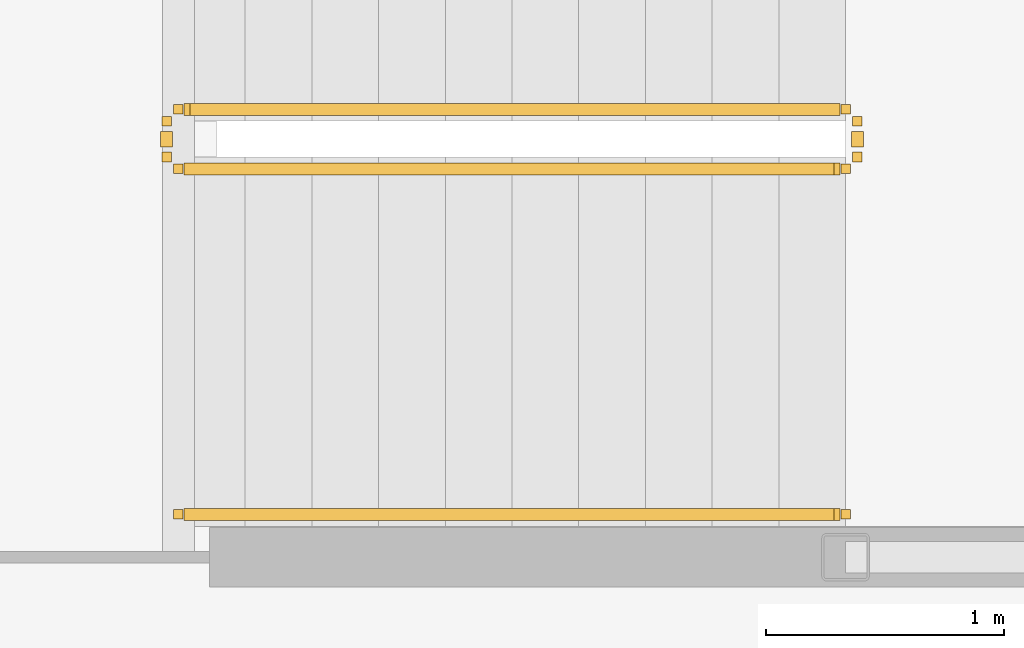
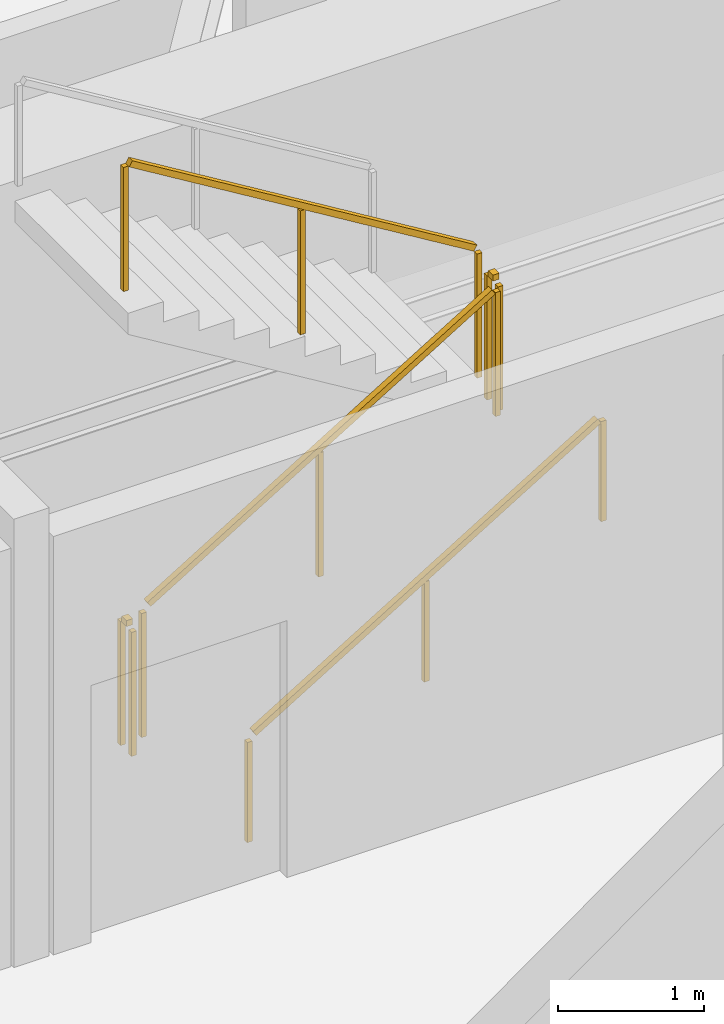
# One storey, part 19 of 20: 5 railings.
"""IFC4 building model written with IfcOpenShell, lengths in metres."""

from ifc_helpers import new_model, si_unit, direction, frame, origin, origin_2d, place, context, subcontext, project, spatial, rectangle, extrude, material, type_object, element, save


model = new_model("IFC4")

# Units and contexts
model_context = context("Model", 3, precision=1e-05, world=origin(), true_north=direction((0.0, 1.0)))
body_context = subcontext(model_context, "Body", "Model", "MODEL_VIEW")
ifc_project = project(units=[si_unit("LENGTHUNIT", "METRE"), si_unit("AREAUNIT", "SQUARE_METRE"), si_unit("VOLUMEUNIT", "CUBIC_METRE"), si_unit("PLANEANGLEUNIT", "RADIAN"), si_unit("MASSUNIT", "GRAM", prefix="KILO")], contexts=[model_context])

# Site, building, storey
site_placement = place(None, origin())
site = spatial("IfcSite", under=ifc_project, at=site_placement, CompositionType="ELEMENT")
building_placement = place(site_placement, origin())
building = spatial("IfcBuilding", under=site, at=building_placement, Name="Kazma Halo Residences", CompositionType="ELEMENT")
storey_placement = place(building_placement, frame((0.0, 0.0, 146.550048828125)))
storey = spatial("IfcBuildingStorey", under=building, at=storey_placement, Name="L36", CompositionType="ELEMENT", Elevation=146.550048828125)

# Railings
ifc_material_1 = material(Name="Painted Steel S355", Category="steel")
railing_type_1 = type_object("IfcRailingType", Name="RLG-STAIR-GRD-1100", PredefinedType="GUARDRAIL", material=ifc_material_1)
railing_1_placement = place(storey_placement, frame((53.199951171875, 48.25, 0.17041015625)))
element("IfcRailing", 1, at=railing_1_placement, inside=storey, type_object=railing_type_1, Name="L36 ST-02 stair guard 1", PredefinedType="GUARDRAIL", context=body_context, shape_type="SweptSolid", body=[
    extrude(rectangle(XDim=0.050048828125, YDim=0.050048828125, at=origin_2d()), frame((0.036376953125, 0.0, 1.09716796875), z_axis=(0.854169791009, 0.0, 0.51999420009), x_axis=(0.0, 1.0, 0.0)), (0.0, 0.0, 1.0), 3.193115234375),
    extrude(rectangle(XDim=0.0400390625, YDim=0.0400390625, at=origin_2d()), origin(), (0.0, 0.0, 1.0), 1.0380859375),
    extrude(rectangle(XDim=0.0400390625, YDim=0.0400390625, at=origin_2d()), frame((1.39990234375, 0.0, 0.852294921875)), (0.0, 0.0, 1.0), 1.0380859375),
    extrude(rectangle(XDim=0.0400390625, YDim=0.0400390625, at=origin_2d()), frame((2.800048828125, 0.0, 1.70458984375)), (0.0, 0.0, 1.0), 1.0380859375),
])
railing_2_placement = place(storey_placement, frame((56.050048828125, 48.300048828125, 1.875)))
element("IfcRailing", 2, at=railing_2_placement, inside=storey, type_object=railing_type_1, Name="L36 ST-02 stair guard 2", PredefinedType="GUARDRAIL", context=body_context, shape_type="SweptSolid", body=[
    extrude(rectangle(XDim=0.050048828125, YDim=0.050048828125, at=origin_2d()), frame((0.0, 0.04248046875, 1.0751953125), z_axis=(0.0, 1.0, 0.0), x_axis=(-1.0, 0.0, 0.0)), (0.0, 0.0, 1.0), 0.06494140625),
    extrude(rectangle(XDim=0.0400390625, YDim=0.0400390625, at=origin_2d()), origin(), (0.0, 0.0, 1.0), 1.0380859375),
    extrude(rectangle(XDim=0.0400390625, YDim=0.0400390625, at=origin_2d()), frame((0.0, 0.14990234375, 0.0)), (0.0, 0.0, 1.0), 1.0380859375),
])
railing_3_placement = place(storey_placement, frame((56.0, 48.5, 2.04541015625)))
element("IfcRailing", 3, at=railing_3_placement, inside=storey, type_object=railing_type_1, Name="L36 ST-02 stair guard 3", PredefinedType="GUARDRAIL", context=body_context, shape_type="SweptSolid", body=[
    extrude(rectangle(XDim=0.050048828125, YDim=0.050048828125, at=origin_2d()), frame((-0.036376953125, 0.0, 1.09716796875), z_axis=(-0.854169791009, 0.0, 0.51999420009), x_axis=(0.0, -1.0, 0.0)), (0.0, 0.0, 1.0), 3.193115234375),
    extrude(rectangle(XDim=0.0400390625, YDim=0.0400390625, at=origin_2d()), origin(), (0.0, 0.0, 1.0), 1.0380859375),
    extrude(rectangle(XDim=0.0400390625, YDim=0.0400390625, at=origin_2d()), frame((-1.39990234375, 0.0, 0.852294921875)), (0.0, 0.0, 1.0), 1.0380859375),
    extrude(rectangle(XDim=0.0400390625, YDim=0.0400390625, at=origin_2d()), frame((-2.800048828125, 0.0, 1.70458984375)), (0.0, 0.0, 1.0), 1.0380859375),
])
railing_4_placement = place(storey_placement, frame((53.14990234375, 48.300048828125, 0.0)))
element("IfcRailing", 4, at=railing_4_placement, inside=storey, type_object=railing_type_1, Name="L36 ST-02 stair guard 4", PredefinedType="GUARDRAIL", context=body_context, shape_type="SweptSolid", body=[
    extrude(rectangle(XDim=0.050048828125, YDim=0.050048828125, at=origin_2d()), frame((0.0, 0.04248046875, 1.0751953125), z_axis=(0.0, 1.0, 0.0), x_axis=(-1.0, 0.0, 0.0)), (0.0, 0.0, 1.0), 0.06494140625),
    extrude(rectangle(XDim=0.0400390625, YDim=0.0400390625, at=origin_2d()), origin(), (0.0, 0.0, 1.0), 1.0380859375),
    extrude(rectangle(XDim=0.0400390625, YDim=0.0400390625, at=origin_2d()), frame((0.0, 0.14990234375, 0.0)), (0.0, 0.0, 1.0), 1.0380859375),
])
ifc_material_2 = material(Name="Brushed Stainless Steel", Category="steel")
railing_type_2 = type_object("IfcRailingType", Name="RLG-STAIR-HND-900", PredefinedType="HANDRAIL", material=ifc_material_2)
railing_5_placement = place(storey_placement, frame((53.199951171875, 46.800048828125, 0.17041015625)))
element("IfcRailing", 5, at=railing_5_placement, inside=storey, type_object=railing_type_2, Name="L36 ST-02 stair handrail 1", PredefinedType="HANDRAIL", context=body_context, shape_type="SweptSolid", body=[
    extrude(rectangle(XDim=0.050048828125, YDim=0.050048828125, at=origin_2d()), frame((0.036376953125, 0.0, 0.89697265625), z_axis=(0.854169791009, 0.0, 0.51999420009), x_axis=(0.0, 1.0, 0.0)), (0.0, 0.0, 1.0), 3.193115234375),
    extrude(rectangle(XDim=0.0400390625, YDim=0.0400390625, at=origin_2d()), origin(), (0.0, 0.0, 1.0), 0.837890625),
    extrude(rectangle(XDim=0.0400390625, YDim=0.0400390625, at=origin_2d()), frame((1.39990234375, 0.0, 0.852294921875)), (0.0, 0.0, 1.0), 0.837890625),
    extrude(rectangle(XDim=0.0400390625, YDim=0.0400390625, at=origin_2d()), frame((2.800048828125, 0.0, 1.70458984375)), (0.0, 0.0, 1.0), 0.837890625),
])

save(model, "model.ifc")
